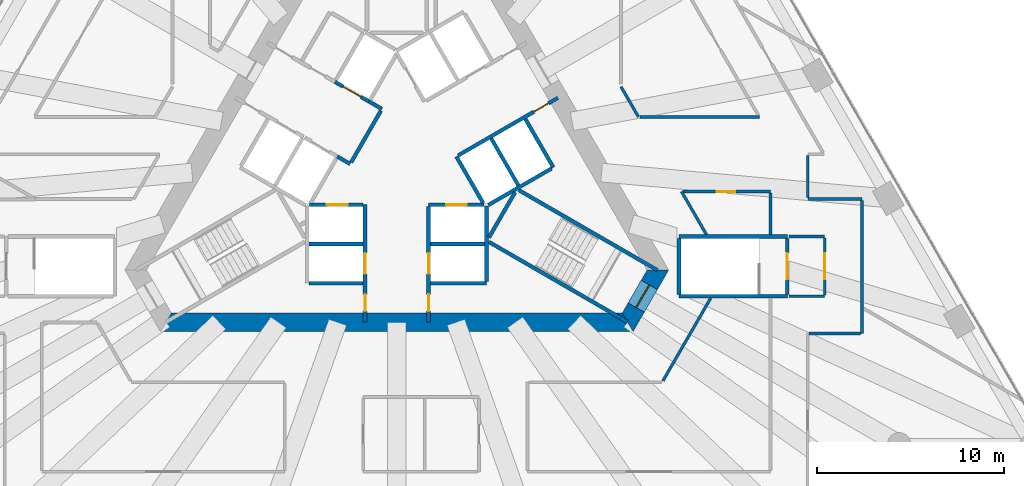
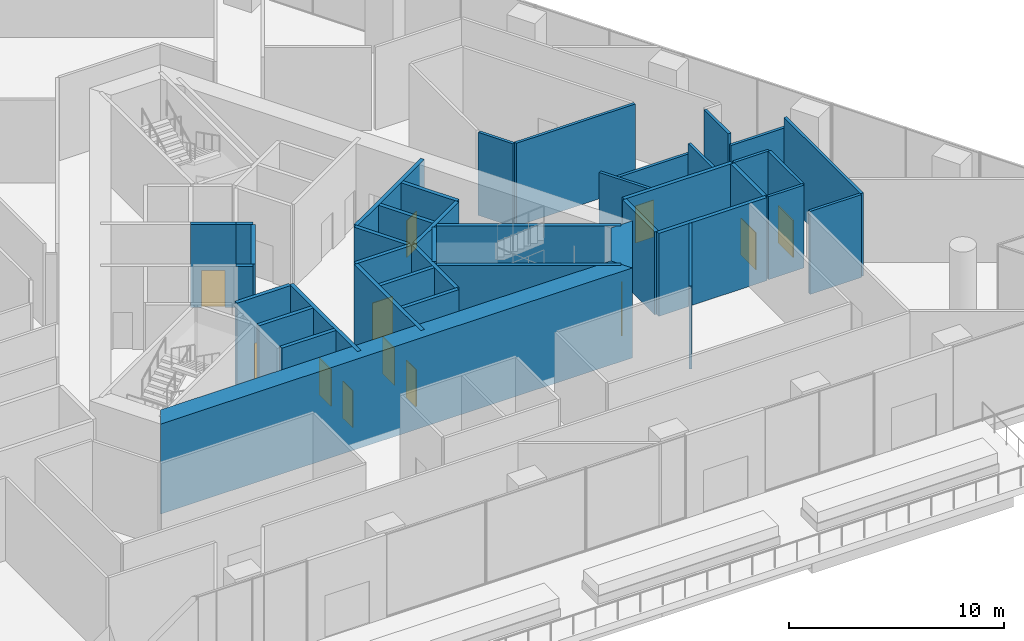
# One storey, part 23 of 28: 40 walls, 12 doors, 12 openings.
"""IFC4 building model written with IfcOpenShell, lengths in metres."""

from ifc_helpers import new_model, si_unit, direction, frame, frame_2d, origin, place, context, subcontext, project, spatial, polyline, rectangle, outline, extrude, material, layer, layer_set, type_object, element, fill, save


model = new_model("IFC4")

# Units and contexts
model_context = context("Model", 3, precision=1e-05, world=origin(), true_north=direction((0.0, 1.0)))
body_context = subcontext(model_context, "Body", "Model", "MODEL_VIEW")
ifc_project = project(units=[si_unit("LENGTHUNIT", "METRE"), si_unit("AREAUNIT", "SQUARE_METRE"), si_unit("VOLUMEUNIT", "CUBIC_METRE"), si_unit("PLANEANGLEUNIT", "RADIAN"), si_unit("MASSUNIT", "GRAM", prefix="KILO")], contexts=[model_context])

# Site, building, storey
site_placement = place(None, origin())
site = spatial("IfcSite", under=ifc_project, at=site_placement, CompositionType="ELEMENT")
building_placement = place(site_placement, origin())
building = spatial("IfcBuilding", under=site, at=building_placement, Name="Triada Interchange Tower", CompositionType="ELEMENT")
storey_placement = place(building_placement, frame((0.0, 0.0, 30.300048828125)))
storey = spatial("IfcBuildingStorey", under=building, at=storey_placement, Name="L05", CompositionType="ELEMENT", Elevation=30.300048828125)

# Walls
ifc_material_1 = material(Name="Concrete C30/37", Category="concrete")
ifc_layer_1 = layer(ifc_material_1, 0.199951171875)
ifc_layer_set_1 = layer_set([ifc_layer_1], Name="CORE WALL 200 EI 120")
wall_type_1 = type_object("IfcWallType", Name="CORE WALL 200 EI 120", PredefinedType="SOLIDWALL", material=ifc_layer_set_1)
wall_1_placement = place(storey_placement, frame((-4.699951171875, -6.89990234375, 0.0), z_axis=(0.0, 0.0, 1.0), x_axis=(1.0, 0.0, 0.0)))
element("IfcWall", 1, at=wall_1_placement, inside=storey, type_object=wall_type_1, Name="Wall L05 76", PredefinedType="SOLIDWALL", context=body_context, shape_type="SweptSolid", body=[
    extrude(rectangle(XDim=2.89990234375, YDim=0.199951171875, at=frame_2d((1.449951171875, 0.0))), origin(), (0.0, 0.0, 1.0), 4.699951171875),
])
wall_2_placement = place(storey_placement, frame((1.800048828125, -6.89990234375, 0.0), z_axis=(0.0, 0.0, 1.0), x_axis=(1.0, 0.0, 0.0)))
element("IfcWall", 2, at=wall_2_placement, inside=storey, type_object=wall_type_1, Name="Wall L05 77", PredefinedType="SOLIDWALL", context=body_context, shape_type="SweptSolid", body=[
    extrude(rectangle(XDim=3.0, YDim=0.199951171875, at=frame_2d((1.5, 0.0))), origin(), (0.0, 0.0, 1.0), 4.699951171875),
])
for number, where, z_axis, x_axis, name in (
    (3, (-4.699951171875, -4.800048828125, 0.0), (0.0, 0.0, 1.0), (1.0, 0.0, 0.0), "Wall L05 78"),
    (4, (1.800048828125, -4.800048828125, 0.0), (0.0, 0.0, 1.0), (1.0, 0.0, 0.0), "Wall L05 79"),
):
    element("IfcWall", number, at=place(storey_placement, frame(where, z_axis=z_axis, x_axis=x_axis)), inside=storey, type_object=wall_type_1, Name=name, PredefinedType="SOLIDWALL", context=body_context, shape_type="SweptSolid", body=[
        extrude(rectangle(XDim=2.89990234375, YDim=0.199951171875, at=frame_2d((1.449951171875, 0.0))), origin(), (0.0, 0.0, 1.0), 4.699951171875),
    ])

# Wall, openings, doors
wall_3_placement = place(storey_placement, frame((-1.699951171875, -8.97998046875, 0.0), z_axis=(0.0, 0.0, 1.0), x_axis=(0.0, 1.0, 0.0)))
wall_3 = element("IfcWall", 5, at=wall_3_placement, inside=storey, type_object=wall_type_1, Name="Wall L05 80", PredefinedType="SOLIDWALL", context=body_context, shape_type="SweptSolid", body=[
    extrude(rectangle(XDim=6.277099609375, YDim=0.199951171875, at=frame_2d((3.138671875, 0.0))), origin(), (0.0, 0.0, 1.0), 4.699951171875),
])
opening_1_placement = place(wall_3_placement, frame((2.580078125, 0.0, 0.0)))
opening_1 = element("IfcOpeningElement", 6, at=opening_1_placement, cuts=wall_3, Name="Opening LD-LR4", PredefinedType="OPENING", context=body_context, shape_type="SweptSolid", body=[
    extrude(rectangle(XDim=1.10009765625, YDim=2.10009765625, at=frame_2d((0.550048828125, 1.050048828125))), frame((0.0, 0.10986328125, 0.0), z_axis=(0.0, -1.0, 0.0), x_axis=(1.0, 0.0, 0.0)), (0.0, 0.0, 1.0), 0.219970703125),
])
opening_2_placement = place(wall_3_placement, frame((0.580078125, 0.0, 0.0)))
opening_2 = element("IfcOpeningElement", 7, at=opening_2_placement, cuts=wall_3, Name="Opening D05-38", PredefinedType="OPENING", context=body_context, shape_type="SweptSolid", body=[
    extrude(rectangle(XDim=0.89990234375, YDim=2.10009765625, at=frame_2d((0.449951171875, 1.050048828125))), frame((0.0, 0.10986328125, 0.0), z_axis=(0.0, -1.0, 0.0), x_axis=(1.0, 0.0, 0.0)), (0.0, 0.0, 1.0), 0.219970703125),
])
ifc_material_2 = material(Name="Steel S235 door leaf", Category="steel")
door_type_1 = type_object("IfcDoorType", Name="LIFT LANDING DOOR 1100 EI 120", OperationType="SLIDING_TO_LEFT", PredefinedType="DOOR", material=ifc_material_2)
door_1_placement = place(opening_1_placement, origin())
door_1 = element("IfcDoor", 8, at=door_1_placement, inside=storey, type_object=door_type_1, Name="LR4 landing door L05", OperationType="SLIDING_TO_LEFT", OverallHeight=2.10009765625, OverallWidth=1.10009765625, PredefinedType="DOOR", context=body_context, shape_type="SweptSolid", body=[
    extrude(rectangle(XDim=1.10009765625, YDim=2.10009765625, at=frame_2d((0.550048828125, 1.050048828125))), frame((0.0, 0.02490234375, 0.0), z_axis=(0.0, -1.0, 0.0), x_axis=(1.0, 0.0, 0.0)), (0.0, 0.0, 1.0), 0.050048828125),
])
fill(opening_1, door_1)
door_type_2 = type_object("IfcDoorType", Name="SERVICE DOOR 900 EI2 45-C5S200", OperationType="NOTDEFINED", PredefinedType="DOOR", material=ifc_material_2)
door_2_placement = place(opening_2_placement, origin())
door_2 = element("IfcDoor", 9, at=door_2_placement, inside=storey, type_object=door_type_2, Name="Door D05-38 L05", OperationType="SINGLE_SWING_RIGHT", OverallHeight=2.10009765625, OverallWidth=0.89990234375, PredefinedType="DOOR", context=body_context, shape_type="SweptSolid", body=[
    extrude(rectangle(XDim=0.89990234375, YDim=2.10009765625, at=frame_2d((0.449951171875, 1.050048828125))), frame((0.0, 0.02490234375, 0.0), z_axis=(0.0, -1.0, 0.0), x_axis=(1.0, 0.0, 0.0)), (0.0, 0.0, 1.0), 0.050048828125),
])
fill(opening_2, door_2)

# Wall, opening, door
wall_4_placement = place(storey_placement, frame((-4.676025390625, -2.699951171875, 0.0), z_axis=(0.0, 0.0, 1.0), x_axis=(1.0, 0.0, 0.0)))
wall_4 = element("IfcWall", 10, at=wall_4_placement, inside=storey, type_object=wall_type_1, Name="Wall L05 81", PredefinedType="SOLIDWALL", context=body_context, shape_type="SweptSolid", body=[
    extrude(rectangle(XDim=2.873046875, YDim=0.199951171875, at=frame_2d((1.4365234375, 0.0))), origin(), (0.0, 0.0, 1.0), 4.699951171875),
])
opening_3_placement = place(wall_4_placement, frame((0.93701171875, 0.0, 0.0)))
opening_3 = element("IfcOpeningElement", 11, at=opening_3_placement, cuts=wall_4, Name="Opening LD-LR3", PredefinedType="OPENING", context=body_context, shape_type="SweptSolid", body=[
    extrude(rectangle(XDim=1.10009765625, YDim=2.10009765625, at=frame_2d((0.550048828125, 1.050048828125))), frame((0.0, 0.10986328125, 0.0), z_axis=(0.0, -1.0, 0.0), x_axis=(1.0, 0.0, 0.0)), (0.0, 0.0, 1.0), 0.219970703125),
])
door_3_placement = place(opening_3_placement, origin())
door_3 = element("IfcDoor", 12, at=door_3_placement, inside=storey, type_object=door_type_1, Name="LR3 landing door L05", OperationType="SLIDING_TO_LEFT", OverallHeight=2.10009765625, OverallWidth=1.10009765625, PredefinedType="DOOR", context=body_context, shape_type="SweptSolid", body=[
    extrude(rectangle(XDim=1.10009765625, YDim=2.10009765625, at=frame_2d((0.550048828125, 1.050048828125))), frame((0.0, 0.02490234375, 0.0), z_axis=(0.0, -1.0, 0.0), x_axis=(1.0, 0.0, 0.0)), (0.0, 0.0, 1.0), 0.050048828125),
])
fill(opening_3, door_3)

wall_5_placement = place(storey_placement, frame((1.702880859375, -2.699951171875, 0.0), z_axis=(0.0, 0.0, 1.0), x_axis=(1.0, 0.0, 0.0)))
wall_5 = element("IfcWall", 13, at=wall_5_placement, inside=storey, type_object=wall_type_1, Name="Wall L05 82", PredefinedType="SOLIDWALL", context=body_context, shape_type="SweptSolid", body=[
    extrude(rectangle(XDim=2.97314453125, YDim=0.199951171875, at=frame_2d((1.486572265625, 0.0))), origin(), (0.0, 0.0, 1.0), 4.699951171875),
])
opening_4_placement = place(wall_5_placement, frame((0.93603515625, 0.0, 0.0)))
opening_4 = element("IfcOpeningElement", 14, at=opening_4_placement, cuts=wall_5, Name="Opening LD-LR1", PredefinedType="OPENING", context=body_context, shape_type="SweptSolid", body=[
    extrude(rectangle(XDim=1.10009765625, YDim=2.10009765625, at=frame_2d((0.550048828125, 1.050048828125))), frame((0.0, 0.10986328125, 0.0), z_axis=(0.0, -1.0, 0.0), x_axis=(1.0, 0.0, 0.0)), (0.0, 0.0, 1.0), 0.219970703125),
])
door_4_placement = place(opening_4_placement, origin())
door_4 = element("IfcDoor", 15, at=door_4_placement, inside=storey, type_object=door_type_1, Name="LR1 landing door L05", OperationType="SLIDING_TO_LEFT", OverallHeight=2.10009765625, OverallWidth=1.10009765625, PredefinedType="DOOR", context=body_context, shape_type="SweptSolid", body=[
    extrude(rectangle(XDim=1.10009765625, YDim=2.10009765625, at=frame_2d((0.550048828125, 1.050048828125))), frame((0.0, 0.02490234375, 0.0), z_axis=(0.0, -1.0, 0.0), x_axis=(1.0, 0.0, 0.0)), (0.0, 0.0, 1.0), 0.050048828125),
])
fill(opening_4, door_4)

# Wall
wall_6_placement = place(storey_placement, frame((3.18994140625, -0.125, 0.0), z_axis=(0.0, 0.0, 1.0), x_axis=(0.499988658015, -0.866031951983, 0.0)))
element("IfcWall", 16, at=wall_6_placement, inside=storey, type_object=wall_type_1, Name="Wall L05 85", PredefinedType="SOLIDWALL", context=body_context, shape_type="SweptSolid", body=[
    extrude(rectangle(XDim=2.85791015625, YDim=0.199951171875, at=frame_2d((1.428955078125, 0.0))), origin(), (0.0, 0.0, 1.0), 4.699951171875),
])

# Wall, openings, doors
wall_7_placement = place(storey_placement, frame((1.699951171875, -8.97998046875, 0.0), z_axis=(0.0, 0.0, 1.0), x_axis=(0.0, 1.0, 0.0)))
wall_7 = element("IfcWall", 17, at=wall_7_placement, inside=storey, type_object=wall_type_1, Name="Wall L05 87", PredefinedType="SOLIDWALL", context=body_context, shape_type="SweptSolid", body=[
    extrude(rectangle(XDim=6.177001953125, YDim=0.199951171875, at=frame_2d((3.08837890625, 0.0))), origin(), (0.0, 0.0, 1.0), 4.699951171875),
])
opening_5_placement = place(wall_7_placement, frame((2.580078125, 0.0, 0.0)))
opening_5 = element("IfcOpeningElement", 18, at=opening_5_placement, cuts=wall_7, Name="Opening LD-LR2", PredefinedType="OPENING", context=body_context, shape_type="SweptSolid", body=[
    extrude(rectangle(XDim=1.10009765625, YDim=2.10009765625, at=frame_2d((0.550048828125, 1.050048828125))), frame((0.0, 0.10986328125, 0.0), z_axis=(0.0, -1.0, 0.0), x_axis=(1.0, 0.0, 0.0)), (0.0, 0.0, 1.0), 0.219970703125),
])
opening_6_placement = place(wall_7_placement, frame((0.580078125, 0.0, 0.0)))
opening_6 = element("IfcOpeningElement", 19, at=opening_6_placement, cuts=wall_7, Name="Opening D05-41", PredefinedType="OPENING", context=body_context, shape_type="SweptSolid", body=[
    extrude(rectangle(XDim=0.89990234375, YDim=2.10009765625, at=frame_2d((0.449951171875, 1.050048828125))), frame((0.0, 0.10986328125, 0.0), z_axis=(0.0, -1.0, 0.0), x_axis=(1.0, 0.0, 0.0)), (0.0, 0.0, 1.0), 0.219970703125),
])
door_5_placement = place(opening_5_placement, origin())
door_5 = element("IfcDoor", 20, at=door_5_placement, inside=storey, type_object=door_type_1, Name="LR2 landing door L05", OperationType="SLIDING_TO_LEFT", OverallHeight=2.10009765625, OverallWidth=1.10009765625, PredefinedType="DOOR", context=body_context, shape_type="SweptSolid", body=[
    extrude(rectangle(XDim=1.10009765625, YDim=2.10009765625, at=frame_2d((0.550048828125, 1.050048828125))), frame((0.0, 0.02490234375, 0.0), z_axis=(0.0, -1.0, 0.0), x_axis=(1.0, 0.0, 0.0)), (0.0, 0.0, 1.0), 0.050048828125),
])
fill(opening_5, door_5)
door_6_placement = place(opening_6_placement, origin())
door_6 = element("IfcDoor", 21, at=door_6_placement, inside=storey, type_object=door_type_2, Name="Door D05-41 L05", OperationType="SINGLE_SWING_LEFT", OverallHeight=2.10009765625, OverallWidth=0.89990234375, PredefinedType="DOOR", context=body_context, shape_type="SweptSolid", body=[
    extrude(rectangle(XDim=0.89990234375, YDim=2.10009765625, at=frame_2d((0.449951171875, 1.050048828125))), frame((0.0, 0.02490234375, 0.0), z_axis=(0.0, -1.0, 0.0), x_axis=(1.0, 0.0, 0.0)), (0.0, 0.0, 1.0), 0.050048828125),
])
fill(opening_6, door_6)

# Walls
wall_8_placement = place(storey_placement, frame((4.800048828125, -6.800048828125, 0.0), z_axis=(0.0, 0.0, 1.0), x_axis=(0.0, 1.0, 0.0)))
element("IfcWall", 22, at=wall_8_placement, inside=storey, type_object=wall_type_1, Name="Wall L05 88", PredefinedType="SOLIDWALL", context=body_context, shape_type="SweptSolid", body=[
    extrude(rectangle(XDim=4.029052734375, YDim=0.199951171875, at=frame_2d((2.0146484375, 0.0))), origin(), (0.0, 0.0, 1.0), 4.699951171875),
])
wall_9_placement = place(storey_placement, frame((5.056884765625, 0.841064453125, 0.0), z_axis=(0.0, 0.0, 1.0), x_axis=(0.50012328804, -0.865954211699, 0.0)))
element("IfcWall", 23, at=wall_9_placement, inside=storey, type_object=wall_type_1, Name="Wall L05 90", PredefinedType="SOLIDWALL", context=body_context, shape_type="SweptSolid", body=[
    extrude(rectangle(XDim=2.899658203125, YDim=0.199951171875, at=frame_2d((1.44970703125, 0.0))), origin(), (0.0, 0.0, 1.0), 4.699951171875),
])
wall_10_placement = place(storey_placement, frame((6.8759765625, 1.89111328125, 0.0), z_axis=(0.0, 0.0, 1.0), x_axis=(0.499990139034, -0.866031096941, 0.0)))
element("IfcWall", 24, at=wall_10_placement, inside=storey, type_object=wall_type_1, Name="Wall L05 92", PredefinedType="SOLIDWALL", context=body_context, shape_type="SweptSolid", body=[
    extrude(rectangle(XDim=3.0, YDim=0.199951171875, at=frame_2d((1.5, 0.0))), origin(), (0.0, 0.0, 1.0), 4.699951171875),
])

# Wall, opening, door
wall_11_placement = place(storey_placement, frame((3.278076171875, -0.071044921875, 0.0), z_axis=(0.0, 0.0, 1.0), x_axis=(0.865959795517, 0.500113619639, 0.0)))
wall_11 = element("IfcWall", 25, at=wall_11_placement, inside=storey, type_object=wall_type_1, Name="Wall L05 93", PredefinedType="SOLIDWALL", context=body_context, shape_type="SweptSolid", body=[
    extrude(rectangle(XDim=6.1767578125, YDim=0.199951171875, at=frame_2d((3.08837890625, 0.0))), origin(), (0.0, 0.0, 1.0), 4.699951171875),
])
opening_7_placement = place(wall_11_placement, frame((4.697021484375, 0.0, 0.0)))
opening_7 = element("IfcOpeningElement", 26, at=opening_7_placement, cuts=wall_11, Name="Opening D05-42", PredefinedType="OPENING", context=body_context, shape_type="SweptSolid", body=[
    extrude(rectangle(XDim=0.89990234375, YDim=2.10009765625, at=frame_2d((0.449951171875, 1.050048828125))), frame((0.0, 0.10986328125, 0.0), z_axis=(0.0, -1.0, 0.0), x_axis=(1.0, 0.0, 0.0)), (0.0, 0.0, 1.0), 0.219970703125),
])
door_type_3 = type_object("IfcDoorType", Name="RISER ACCESS DOOR 900 EI2 45-C5S200", OperationType="NOTDEFINED", PredefinedType="DOOR", material=ifc_material_2)
door_7_placement = place(opening_7_placement, origin())
door_7 = element("IfcDoor", 27, at=door_7_placement, inside=storey, type_object=door_type_3, Name="Door D05-42 L05", OperationType="SINGLE_SWING_RIGHT", OverallHeight=2.10009765625, OverallWidth=0.89990234375, PredefinedType="DOOR", context=body_context, shape_type="SweptSolid", body=[
    extrude(rectangle(XDim=0.89990234375, YDim=2.10009765625, at=frame_2d((0.449951171875, 1.050048828125))), frame((0.0, 0.02490234375, 0.0), z_axis=(0.0, -1.0, 0.0), x_axis=(1.0, 0.0, 0.0)), (0.0, 0.0, 1.0), 0.050048828125),
])
fill(opening_7, door_7)

# Walls
wall_12_placement = place(storey_placement, frame((4.89990234375, -2.714111328125, 0.0), z_axis=(0.0, 0.0, 1.0), x_axis=(0.865992350556, 0.500057245502, 0.0)))
element("IfcWall", 28, at=wall_12_placement, inside=storey, type_object=wall_type_1, Name="Wall L05 94", PredefinedType="SOLIDWALL", context=body_context, shape_type="SweptSolid", body=[
    extrude(rectangle(XDim=3.91357421875, YDim=0.199951171875, at=frame_2d((1.956787109375, 0.0))), origin(), (0.0, 0.0, 1.0), 4.699951171875),
])
ifc_layer_2 = layer(ifc_material_1, 0.199951171875)
ifc_layer_set_2 = layer_set([ifc_layer_2], Name="CORE WALL 200 EI 180")
wall_type_2 = type_object("IfcWallType", Name="CORE WALL 200 EI 180", PredefinedType="SOLIDWALL", material=ifc_layer_set_2)
wall_13_placement = place(storey_placement, frame((-3.18798828125, -0.1220703125, 0.0), z_axis=(0.0, 0.0, 1.0), x_axis=(0.865705793592, -0.50055317294, 0.0)))
element("IfcWall", 29, at=wall_13_placement, inside=storey, type_object=wall_type_2, Name="Wall L05 96", PredefinedType="SOLIDWALL", context=body_context, shape_type="SweptSolid", body=[
    extrude(rectangle(XDim=0.796875, YDim=0.199951171875, at=frame_2d((0.3984375, 0.0))), origin(), (0.0, 0.0, 1.0), 4.699951171875),
])
wall_14_placement = place(storey_placement, frame((-1.488037109375, 2.822021484375, 0.0), z_axis=(0.0, 0.0, 1.0), x_axis=(0.866236612152, -0.499633997809, 0.0)))
element("IfcWall", 30, at=wall_14_placement, inside=storey, type_object=wall_type_2, Name="Wall L05 98", PredefinedType="SOLIDWALL", context=body_context, shape_type="SweptSolid", body=[
    extrude(rectangle(XDim=0.79638671875, YDim=0.199951171875, at=frame_2d((0.398193359375, 0.0))), origin(), (0.0, 0.0, 1.0), 4.699951171875),
])
wall_15_placement = place(storey_placement, frame((-2.444091796875, -0.43310546875, 0.0), z_axis=(0.0, 0.0, 1.0), x_axis=(0.500035624827, 0.866004834804, 0.0)))
element("IfcWall", 31, at=wall_15_placement, inside=storey, type_object=wall_type_2, Name="Wall L05 101", PredefinedType="SOLIDWALL", context=body_context, shape_type="SweptSolid", body=[
    extrude(rectangle(XDim=3.194091796875, YDim=0.199951171875, at=frame_2d((1.59716796875, 0.0))), origin(), (0.0, 0.0, 1.0), 4.699951171875),
])

# Wall, opening, door
wall_16_placement = place(storey_placement, frame((-3.30908203125, 3.873046875, 0.0), z_axis=(0.0, 0.0, 1.0), x_axis=(0.866098583652, -0.499873227325, 0.0)))
wall_16 = element("IfcWall", 32, at=wall_16_placement, inside=storey, type_object=wall_type_2, Name="Shaft wall FF2 L05 106", PredefinedType="SOLIDWALL", context=body_context, shape_type="SweptSolid", body=[
    extrude(rectangle(XDim=2.1025390625, YDim=0.199951171875, at=frame_2d((1.05126953125, 0.0))), origin(), (0.0, 0.0, 1.0), 4.699951171875),
])
opening_8_placement = place(wall_16_placement, frame((0.501953125, 0.0, 0.0)))
opening_8 = element("IfcOpeningElement", 33, at=opening_8_placement, cuts=wall_16, Name="Opening LD-FF2", PredefinedType="OPENING", context=body_context, shape_type="SweptSolid", body=[
    extrude(rectangle(XDim=1.10009765625, YDim=2.10009765625, at=frame_2d((0.550048828125, 1.050048828125))), frame((0.0, 0.10986328125, 0.0), z_axis=(0.0, -1.0, 0.0), x_axis=(1.0, 0.0, 0.0)), (0.0, 0.0, 1.0), 0.219970703125),
])
door_8_placement = place(opening_8_placement, origin())
door_8 = element("IfcDoor", 34, at=door_8_placement, inside=storey, type_object=door_type_1, Name="FF2 landing door L05", OperationType="SLIDING_TO_LEFT", OverallHeight=2.10009765625, OverallWidth=1.10009765625, PredefinedType="DOOR", context=body_context, shape_type="SweptSolid", body=[
    extrude(rectangle(XDim=1.10009765625, YDim=2.10009765625, at=frame_2d((0.550048828125, 1.050048828125))), frame((0.0, 0.02490234375, 0.0), z_axis=(0.0, -1.0, 0.0), x_axis=(1.0, 0.0, 0.0)), (0.0, 0.0, 1.0), 0.050048828125),
])
fill(opening_8, door_8)

# Walls
ifc_layer_3 = layer(ifc_material_1, 0.199951171875)
ifc_layer_set_3 = layer_set([ifc_layer_3], Name="CORE WALL 200 REI 240")
wall_type_3 = type_object("IfcWallType", Name="CORE WALL 200 REI 240", PredefinedType="SOLIDWALL", material=ifc_layer_set_3)
wall_17_placement = place(storey_placement, frame((4.928955078125, -4.4619140625, 0.0), z_axis=(0.0, 0.0, 1.0), x_axis=(0.500200581029, 0.865909567298, 0.0)))
element("IfcWall", 35, at=wall_17_placement, inside=storey, type_object=wall_type_3, Name="Wall L05 118", PredefinedType="SOLIDWALL", context=body_context, shape_type="SweptSolid", body=[
    extrude(rectangle(XDim=2.799072265625, YDim=0.199951171875, at=frame_2d((1.3994140625, 0.0))), origin(), (0.0, 0.0, 1.0), 4.699951171875),
])
wall_18_placement = place(storey_placement, frame((6.529052734375, -1.922119140625, 0.0), z_axis=(0.0, 0.0, 1.0), x_axis=(0.866036527536, -0.499980732602, 0.0)))
element("IfcWall", 36, at=wall_18_placement, inside=storey, type_object=wall_type_3, Name="Wall L05 119", PredefinedType="SOLIDWALL", context=body_context, shape_type="SweptSolid", body=[
    extrude(rectangle(XDim=8.564208984375, YDim=0.199951171875, at=frame_2d((4.2822265625, 0.0))), origin(), (0.0, 0.0, 1.0), 4.699951171875),
])
wall_19_placement = place(storey_placement, frame((4.928955078125, -4.693115234375, 0.0), z_axis=(0.0, 0.0, 1.0), x_axis=(0.865987152174, -0.50006624788, 0.0)))
element("IfcWall", 37, at=wall_19_placement, inside=storey, type_object=wall_type_3, Name="Wall L05 120", PredefinedType="SOLIDWALL", context=body_context, shape_type="SweptSolid", body=[
    extrude(rectangle(XDim=8.564697265625, YDim=0.199951171875, at=frame_2d((4.2822265625, 0.0))), origin(), (0.0, 0.0, 1.0), 4.699951171875),
])
for number, where, z_axis, x_axis, name in (
    (38, (15.10009765625, -4.39990234375, 0.0), (0.0, 0.0, 1.0), (1.0, 0.0, 0.0), "Wall L05 123"),
    (39, (15.10009765625, -7.60009765625, 0.0), (0.0, 0.0, 1.0), (1.0, 0.0, 0.0), "Wall L05 126"),
):
    element("IfcWall", number, at=place(storey_placement, frame(where, z_axis=z_axis, x_axis=x_axis)), inside=storey, type_object=wall_type_3, Name=name, PredefinedType="SOLIDWALL", context=body_context, shape_type="SweptSolid", body=[
        extrude(rectangle(XDim=5.7998046875, YDim=0.199951171875, at=frame_2d((2.89990234375, 0.0))), origin(), (0.0, 0.0, 1.0), 4.699951171875),
    ])

# Wall, opening, door
wall_20_placement = place(storey_placement, frame((20.89990234375, -7.5, 0.0), z_axis=(0.0, 0.0, 1.0), x_axis=(0.0, 1.0, 0.0)))
wall_20 = element("IfcWall", 40, at=wall_20_placement, inside=storey, type_object=wall_type_3, Name="Wall L05 127", PredefinedType="SOLIDWALL", context=body_context, shape_type="SweptSolid", body=[
    extrude(rectangle(XDim=3.0, YDim=0.199951171875, at=frame_2d((1.5, 0.0))), origin(), (0.0, 0.0, 1.0), 4.699951171875),
])
opening_9_placement = place(wall_20_placement, frame((0.800048828125, 0.0, 0.0)))
opening_9 = element("IfcOpeningElement", 41, at=opening_9_placement, cuts=wall_20, Name="Opening D05-13", PredefinedType="OPENING", context=body_context, shape_type="SweptSolid", body=[
    extrude(rectangle(XDim=1.39990234375, YDim=2.10009765625, at=frame_2d((0.699951171875, 1.050048828125))), frame((0.0, 0.10986328125, 0.0), z_axis=(0.0, -1.0, 0.0), x_axis=(1.0, 0.0, 0.0)), (0.0, 0.0, 1.0), 0.219970703125),
])
door_type_4 = type_object("IfcDoorType", Name="STAIR DOOR 1400 EI2 90-C5S200", OperationType="DOUBLE_DOOR_SINGLE_SWING", PredefinedType="DOOR", material=ifc_material_2)
door_9_placement = place(opening_9_placement, origin())
door_9 = element("IfcDoor", 42, at=door_9_placement, inside=storey, type_object=door_type_4, Name="Door D05-13 L05", OperationType="DOUBLE_DOOR_SINGLE_SWING", OverallHeight=2.10009765625, OverallWidth=1.39990234375, PredefinedType="DOOR", context=body_context, shape_type="SweptSolid", body=[
    extrude(rectangle(XDim=1.39990234375, YDim=2.10009765625, at=frame_2d((0.699951171875, 1.050048828125))), frame((0.0, 0.02490234375, 0.0), z_axis=(0.0, -1.0, 0.0), x_axis=(1.0, 0.0, 0.0)), (0.0, 0.0, 1.0), 0.050048828125),
])
fill(opening_9, door_9)

# Walls
wall_21_placement = place(storey_placement, frame((15.10009765625, -7.5, 0.0), z_axis=(0.0, 0.0, 1.0), x_axis=(0.0, 1.0, 0.0)))
element("IfcWall", 43, at=wall_21_placement, inside=storey, type_object=wall_type_3, Name="Wall L05 128", PredefinedType="SOLIDWALL", context=body_context, shape_type="SweptSolid", body=[
    extrude(rectangle(XDim=3.0, YDim=0.199951171875, at=frame_2d((1.5, 0.0))), origin(), (0.0, 0.0, 1.0), 4.699951171875),
])
ifc_material_3 = material(Name="Concrete C70/85", Category="concrete")
ifc_layer_4 = layer(ifc_material_3, 1.0)
ifc_layer_set_4 = layer_set([ifc_layer_4], Name="Core wall P 1000")
wall_type_4 = type_object("IfcWallType", Name="Core wall P 1000", PredefinedType="SHEAR", material=ifc_layer_set_4)
wall_22_placement = place(storey_placement, frame((-12.35498046875, -9.0, -0.400146484375), z_axis=(0.0, 0.0, 1.0), x_axis=(1.0, 0.0, 0.0)))
element("IfcWall", 44, at=wall_22_placement, inside=storey, type_object=wall_type_4, Name="Core wall WP04 L05", PredefinedType="SHEAR", context=body_context, shape_type="SweptSolid", body=[
    extrude(outline(polyline([(-0.2890625, -0.5), (1.65625, -0.5), (3.601318359375, -0.5), (5.546630859375, -0.5), (7.491943359375, -0.5), (9.43701171875, -0.5), (11.38232421875, -0.5), (13.32763671875, -0.5), (15.27294921875, -0.5), (17.218017578125, -0.5), (19.163330078125, -0.5), (21.108642578125, -0.5), (23.0537109375, -0.5), (24.9990234375, -0.5), (24.422119140625, 0.5), (22.565673828125, 0.5), (20.709228515625, 0.5), (18.852783203125, 0.5), (16.996337890625, 0.5), (15.139892578125, 0.5), (13.283447265625, 0.5), (11.4267578125, 0.5), (9.5703125, 0.5), (7.7138671875, 0.5), (5.857421875, 0.5), (4.0009765625, 0.5), (2.14453125, 0.5), (0.2880859375, 0.5), (-0.2890625, -0.5)])), origin(), (0.0, 0.0, 1.0), 5.10009765625),
])

# Wall, opening, door
wall_23_placement = place(storey_placement, frame((12.35498046875, -9.0, -0.400146484375), z_axis=(0.0, 0.0, 1.0), x_axis=(0.500077567175, 0.865980615723, 0.0)))
wall_23 = element("IfcWall", 45, at=wall_23_placement, inside=storey, type_object=wall_type_4, Name="Core wall WP05 L05", PredefinedType="SHEAR", context=body_context, shape_type="SweptSolid", body=[
    extrude(outline(polyline([(-0.2880859375, -0.5), (1.616943359375, -0.5), (3.52197265625, -0.5), (2.945068359375, 0.5), (1.6171875, 0.49951171875), (0.2890625, 0.4990234375), (-0.2880859375, -0.5)])), origin(), (0.0, 0.0, 1.0), 5.10009765625),
])
opening_10_placement = place(wall_23_placement, frame((0.9169921875, 0.0, 0.39990234375)))
opening_10 = element("IfcOpeningElement", 46, at=opening_10_placement, cuts=wall_23, Name="Opening D05-35", PredefinedType="OPENING", context=body_context, shape_type="SweptSolid", body=[
    extrude(rectangle(XDim=1.39990234375, YDim=2.10009765625, at=frame_2d((0.699951171875, 1.050048828125))), frame((0.0, 0.510009765625, 0.0), z_axis=(0.0, -1.0, 0.0), x_axis=(1.0, 0.0, 0.0)), (0.0, 0.0, 1.0), 1.02001953125),
])
door_10_placement = place(opening_10_placement, origin())
door_10 = element("IfcDoor", 47, at=door_10_placement, inside=storey, type_object=door_type_4, Name="Door D05-35 L05", OperationType="DOUBLE_DOOR_SINGLE_SWING", OverallHeight=2.10009765625, OverallWidth=1.39990234375, PredefinedType="DOOR", context=body_context, shape_type="SweptSolid", body=[
    extrude(rectangle(XDim=1.39990234375, YDim=2.10009765625, at=frame_2d((0.699951171875, 1.050048828125))), frame((0.0, 0.02490234375, 0.0), z_axis=(0.0, -1.0, 0.0), x_axis=(1.0, 0.0, 0.0)), (0.0, 0.0, 1.0), 0.050048828125),
])
fill(opening_10, door_10)

# Walls
ifc_material_4 = material(Name="Gypsum board partition")
ifc_layer_5 = layer(ifc_material_4, 0.14990234375)
ifc_layer_set_5 = layer_set([ifc_layer_5], Name="PARTITION 150 EI 180")
wall_type_5 = type_object("IfcWallType", Name="PARTITION 150 EI 180", PredefinedType="PARTITIONING", material=ifc_layer_set_5)
for number, where, z_axis, x_axis, name in (
    (48, (21.0, -7.60009765625, 0.0), (0.0, 0.0, 1.0), (1.0, 0.0, 0.0), "Wall L05 2"),
    (49, (21.0, -4.39990234375, 0.0), (0.0, 0.0, 1.0), (1.0, 0.0, 0.0), "Wall L05 5"),
):
    element("IfcWall", number, at=place(storey_placement, frame(where, z_axis=z_axis, x_axis=x_axis)), inside=storey, type_object=wall_type_5, Name=name, PredefinedType="PARTITIONING", context=body_context, shape_type="SweptSolid", body=[
        extrude(rectangle(XDim=1.89990234375, YDim=0.14990234375, at=frame_2d((0.949951171875, 0.0))), origin(), (0.0, 0.0, 1.0), 4.699951171875),
    ])

# Wall, opening, door
wall_24_placement = place(storey_placement, frame((22.89990234375, -7.52490234375, 0.0), z_axis=(0.0, 0.0, 1.0), x_axis=(0.0, 1.0, 0.0)))
wall_24 = element("IfcWall", 50, at=wall_24_placement, inside=storey, type_object=wall_type_5, Name="Wall L05 6", PredefinedType="PARTITIONING", context=body_context, shape_type="SweptSolid", body=[
    extrude(rectangle(XDim=3.0498046875, YDim=0.14990234375, at=frame_2d((1.52490234375, 0.0))), origin(), (0.0, 0.0, 1.0), 4.699951171875),
])
opening_11_placement = place(wall_24_placement, frame((0.824951171875, 0.0, 0.0)))
opening_11 = element("IfcOpeningElement", 51, at=opening_11_placement, cuts=wall_24, Name="Opening D05-14", PredefinedType="OPENING", context=body_context, shape_type="SweptSolid", body=[
    extrude(rectangle(XDim=1.39990234375, YDim=2.10009765625, at=frame_2d((0.699951171875, 1.050048828125))), frame((0.0, 0.0849609375, 0.0), z_axis=(0.0, -1.0, 0.0), x_axis=(1.0, 0.0, 0.0)), (0.0, 0.0, 1.0), 0.169921875),
])
door_11_placement = place(opening_11_placement, origin())
door_11 = element("IfcDoor", 52, at=door_11_placement, inside=storey, type_object=door_type_4, Name="Door D05-14 L05", OperationType="DOUBLE_DOOR_SINGLE_SWING", OverallHeight=2.10009765625, OverallWidth=1.39990234375, PredefinedType="DOOR", context=body_context, shape_type="SweptSolid", body=[
    extrude(rectangle(XDim=1.39990234375, YDim=2.10009765625, at=frame_2d((0.699951171875, 1.050048828125))), frame((0.0, 0.02490234375, 0.0), z_axis=(0.0, -1.0, 0.0), x_axis=(1.0, 0.0, 0.0)), (0.0, 0.0, 1.0), 0.050048828125),
])
fill(opening_11, door_11)

# Walls
ifc_layer_6 = layer(ifc_material_4, 0.14990234375)
ifc_layer_set_6 = layer_set([ifc_layer_6], Name="PARTITION 150 EI 90")
wall_type_6 = type_object("IfcWallType", Name="PARTITION 150 EI 90", PredefinedType="PARTITIONING", material=ifc_layer_set_6)
wall_25_placement = place(storey_placement, frame((22.0, -2.39990234375, 0.0), z_axis=(0.0, 0.0, 1.0), x_axis=(1.0, 0.0, 0.0)))
element("IfcWall", 53, at=wall_25_placement, inside=storey, type_object=wall_type_6, Name="Wall L05 16", PredefinedType="PARTITIONING", context=body_context, shape_type="SweptSolid", body=[
    extrude(rectangle(XDim=2.89990234375, YDim=0.14990234375, at=frame_2d((1.449951171875, 0.0))), origin(), (0.0, 0.0, 1.0), 4.099853515625),
])
wall_26_placement = place(storey_placement, frame((22.0, -2.324951171875, 0.0), z_axis=(0.0, 0.0, 1.0), x_axis=(0.0, 1.0, 0.0)))
element("IfcWall", 54, at=wall_26_placement, inside=storey, type_object=wall_type_6, Name="Wall L05 34", PredefinedType="PARTITIONING", context=body_context, shape_type="SweptSolid", body=[
    extrude(rectangle(XDim=2.25, YDim=0.14990234375, at=frame_2d((1.125, 0.0))), origin(), (0.0, 0.0, 1.0), 4.699951171875),
])
wall_27_placement = place(storey_placement, frame((12.0, 3.614990234375, 0.0), z_axis=(0.0, 0.0, 1.0), x_axis=(0.500277597875, -0.865865073245, 0.0)))
element("IfcWall", 55, at=wall_27_placement, inside=storey, type_object=wall_type_6, Name="Wall L05 47", PredefinedType="PARTITIONING", context=body_context, shape_type="SweptSolid", body=[
    extrude(rectangle(XDim=1.865234375, YDim=0.14990234375, at=frame_2d((0.9326171875, 0.0))), origin(), (0.0, 0.0, 1.0), 4.699951171875),
])
wall_28_placement = place(storey_placement, frame((15.241943359375, -2.0, 0.0), z_axis=(0.0, 0.0, 1.0), x_axis=(0.500053987897, -0.865994231614, 0.0)))
element("IfcWall", 56, at=wall_28_placement, inside=storey, type_object=wall_type_6, Name="Wall L05 48", PredefinedType="PARTITIONING", context=body_context, shape_type="SweptSolid", body=[
    extrude(rectangle(XDim=2.656005859375, YDim=0.14990234375, at=frame_2d((1.328125, 0.0))), origin(), (0.0, 0.0, 1.0), 4.699951171875),
])

# Wall, opening, door
wall_29_placement = place(storey_placement, frame((15.3291015625, -2.0, 0.0), z_axis=(0.0, 0.0, 1.0), x_axis=(1.0, 0.0, 0.0)))
wall_29 = element("IfcWall", 57, at=wall_29_placement, inside=storey, type_object=wall_type_6, Name="Wall L05 49", PredefinedType="PARTITIONING", context=body_context, shape_type="SweptSolid", body=[
    extrude(rectangle(XDim=4.6708984375, YDim=0.14990234375, at=frame_2d((2.33544921875, 0.0))), origin(), (0.0, 0.0, 1.0), 4.099853515625),
])
opening_12_placement = place(wall_29_placement, frame((1.7919921875, 0.0, 0.0)))
opening_12 = element("IfcOpeningElement", 58, at=opening_12_placement, cuts=wall_29, Name="Opening D05-19", PredefinedType="OPENING", context=body_context, shape_type="SweptSolid", body=[
    extrude(rectangle(XDim=1.0, YDim=2.10009765625, at=frame_2d((0.5, 1.050048828125))), frame((0.0, 0.0849609375, 0.0), z_axis=(0.0, -1.0, 0.0), x_axis=(1.0, 0.0, 0.0)), (0.0, 0.0, 1.0), 0.169921875),
])
door_type_5 = type_object("IfcDoorType", Name="ROOM DOOR 1000 EI2 45-C5S200", OperationType="NOTDEFINED", PredefinedType="DOOR", material=ifc_material_2)
door_12_placement = place(opening_12_placement, origin())
door_12 = element("IfcDoor", 59, at=door_12_placement, inside=storey, type_object=door_type_5, Name="Door D05-19 L05", OperationType="SINGLE_SWING_LEFT", OverallHeight=2.10009765625, OverallWidth=1.0, PredefinedType="DOOR", context=body_context, shape_type="SweptSolid", body=[
    extrude(rectangle(XDim=1.0, YDim=2.10009765625, at=frame_2d((0.5, 1.050048828125))), frame((0.0, 0.02490234375, 0.0), z_axis=(0.0, -1.0, 0.0), x_axis=(1.0, 0.0, 0.0)), (0.0, 0.0, 1.0), 0.050048828125),
])
fill(opening_12, door_12)

# Walls
wall_30_placement = place(storey_placement, frame((20.0, -4.300048828125, 0.0), z_axis=(0.0, 0.0, 1.0), x_axis=(0.0, 1.0, 0.0)))
element("IfcWall", 60, at=wall_30_placement, inside=storey, type_object=wall_type_6, Name="Wall L05 51", PredefinedType="PARTITIONING", context=body_context, shape_type="SweptSolid", body=[
    extrude(rectangle(XDim=2.22509765625, YDim=0.14990234375, at=frame_2d((1.112548828125, 0.0))), origin(), (0.0, 0.0, 1.0), 4.699951171875),
])
wall_31_placement = place(storey_placement, frame((14.24609375, -12.125, 0.0), z_axis=(0.0, 0.0, 1.0), x_axis=(0.500018862428, 0.866014513283, 0.0)))
element("IfcWall", 61, at=wall_31_placement, inside=storey, type_object=wall_type_6, Name="Wall L05 55", PredefinedType="PARTITIONING", context=body_context, shape_type="SweptSolid", body=[
    extrude(rectangle(XDim=5.109619140625, YDim=0.14990234375, at=frame_2d((2.5546875, 0.0))), origin(), (0.0, 0.0, 1.0), 4.699951171875),
])
wall_32_placement = place(storey_placement, frame((24.89990234375, -9.60009765625, 0.0), z_axis=(0.0, 0.0, 1.0), x_axis=(0.0, 1.0, 0.0)))
element("IfcWall", 62, at=wall_32_placement, inside=storey, type_object=wall_type_6, Name="Wall L05 56", PredefinedType="PARTITIONING", context=body_context, shape_type="SweptSolid", body=[
    extrude(rectangle(XDim=7.125, YDim=0.14990234375, at=frame_2d((3.5625, 0.0))), origin(), (0.0, 0.0, 1.0), 4.699951171875),
])
wall_33_placement = place(storey_placement, frame((22.074951171875, -9.60009765625, 0.0), z_axis=(0.0, 0.0, 1.0), x_axis=(1.0, 0.0, 0.0)))
element("IfcWall", 63, at=wall_33_placement, inside=storey, type_object=wall_type_6, Name="Wall L05 57", PredefinedType="PARTITIONING", context=body_context, shape_type="SweptSolid", body=[
    extrude(rectangle(XDim=2.75, YDim=0.14990234375, at=frame_2d((1.375, 0.0))), origin(), (0.0, 0.0, 1.0), 4.699951171875),
])
wall_34_placement = place(storey_placement, frame((13.01904296875, 2.0, 0.0), z_axis=(0.0, 0.0, 1.0), x_axis=(1.0, 0.0, 0.0)))
element("IfcWall", 64, at=wall_34_placement, inside=storey, type_object=wall_type_6, Name="Wall L05 62", PredefinedType="PARTITIONING", context=body_context, shape_type="SweptSolid", body=[
    extrude(rectangle(XDim=6.3798828125, YDim=0.14990234375, at=frame_2d((3.18994140625, 0.0))), origin(), (0.0, 0.0, 1.0), 4.699951171875),
])

save(model, "model.ifc")
